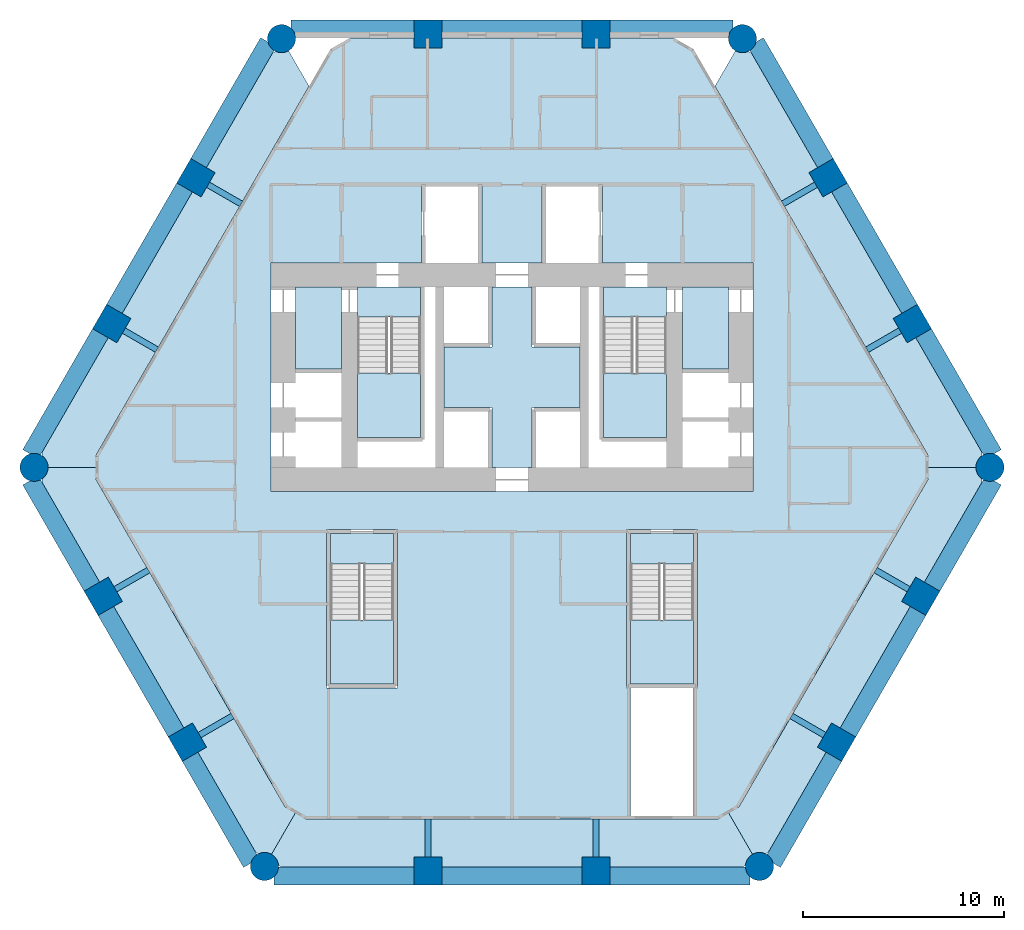
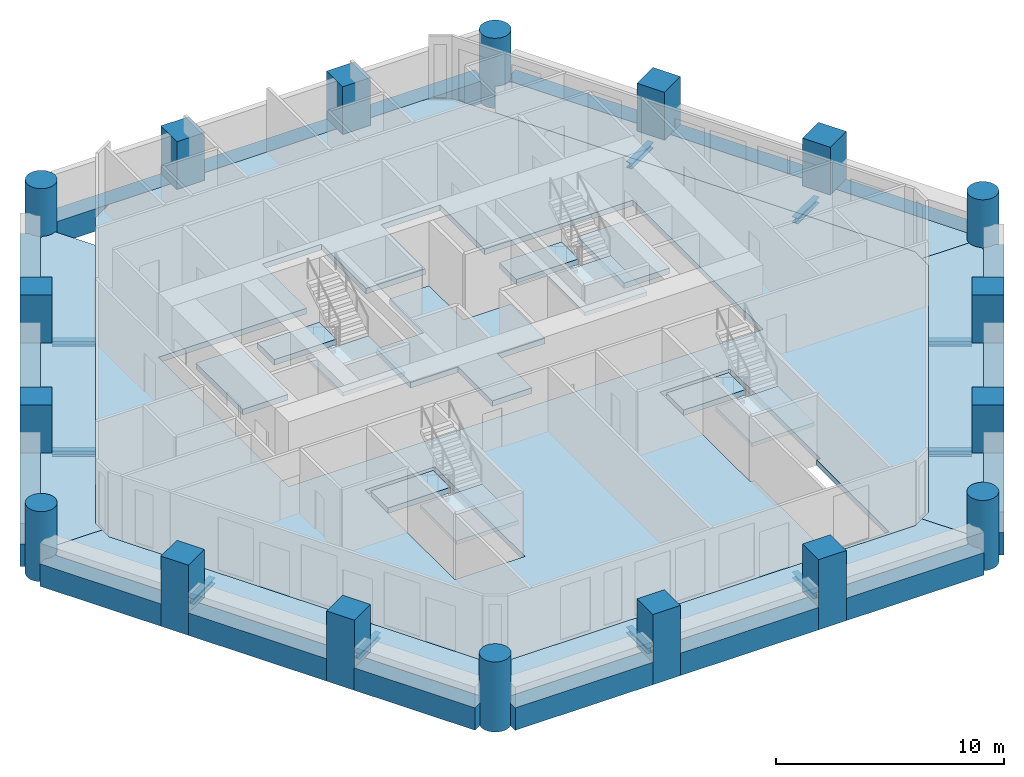
# One storey, part 1 of 8: 28 beams, 18 columns, 17 slabs, 4 elements without a shape of their own.
"""IFC4 building model written with IfcOpenShell, lengths in metres."""

from ifc_helpers import new_model, si_unit, direction, frame, origin, origin_2d, place, context, subcontext, project, spatial, polyline, rectangle, circle, i_section, outline, extrude, material, layer, layer_set, material_profile, profile_set, type_object, element, aggregate, save


model = new_model("IFC4")

# Units and contexts
model_context = context("Model", 3, precision=1e-05, world=origin(), true_north=direction((0.0, 1.0)))
body_context = subcontext(model_context, "Body", "Model", "MODEL_VIEW")
ifc_project = project(units=[si_unit("LENGTHUNIT", "METRE"), si_unit("AREAUNIT", "SQUARE_METRE"), si_unit("VOLUMEUNIT", "CUBIC_METRE"), si_unit("PLANEANGLEUNIT", "RADIAN"), si_unit("MASSUNIT", "GRAM", prefix="KILO")], contexts=[model_context])

# Site, building, storey
site_placement = place(None, origin())
site = spatial("IfcSite", under=ifc_project, at=site_placement, CompositionType="ELEMENT")
building_placement = place(site_placement, origin())
building = spatial("IfcBuilding", under=site, at=building_placement, Name="Ostrander Bayou Hotel Tower", CompositionType="ELEMENT")
storey_placement = place(building_placement, frame((0.0, 0.0, 54.25)))
storey = spatial("IfcBuildingStorey", under=building, at=storey_placement, Name="L13", CompositionType="ELEMENT", Elevation=54.25)

# Columns
ifc_material_1 = material(Name="Concrete f'c 70 MPa", Category="concrete")
ifc_material_profile_1 = material_profile(ifc_material_1, circle(Radius=0.699951171875, at=origin_2d()))
ifc_profile_set_1 = profile_set([ifc_material_profile_1], Name="Concrete f'c 70 MPa")
column_type_1 = type_object("IfcColumnType", Name="C1 round column 1400 mm f'c 70 MPa", PredefinedType="COLUMN", material=ifc_profile_set_1)
for number, where, z_axis, x_axis, name in (
    (1, (-11.483642578125, 20.872314453125, -1.199951171875), (0.0, 0.0, 1.0), (1.0, 0.0, 0.0), "C1 L13 K0"),
    (2, (-23.817626953125, -0.490966796875, -1.199951171875), (0.0, 0.0, 1.0), (1.0, 0.0, 0.0), "C1 L13 K1"),
    (3, (-12.333984375, -20.38134765625, -1.199951171875), (0.0, 0.0, 1.0), (1.0, 0.0, 0.0), "C1 L13 K2"),
    (4, (12.333984375, -20.38134765625, -1.199951171875), (0.0, 0.0, 1.0), (1.0, 0.0, 0.0), "C1 L13 K3"),
    (5, (23.817626953125, -0.490966796875, -1.199951171875), (0.0, 0.0, 1.0), (1.0, 0.0, 0.0), "C1 L13 K4"),
    (6, (11.483642578125, 20.872314453125, -1.199951171875), (0.0, 0.0, 1.0), (1.0, 0.0, 0.0), "C1 L13 K5"),
):
    element("IfcColumn", number, at=place(storey_placement, frame(where, z_axis=z_axis, x_axis=x_axis)), inside=storey, type_object=column_type_1, Name=name, PredefinedType="COLUMN", context=body_context, shape_type="SweptSolid", body=[
        extrude(circle(Radius=0.699951171875, at=origin_2d()), origin(), (0.0, 0.0, 1.0), 3.75),
    ])
ifc_material_2 = material(Name="Concrete f'c 70 MPa", Category="concrete")
ifc_material_profile_2 = material_profile(ifc_material_2, rectangle(XDim=1.39990234375, YDim=1.39990234375, at=origin_2d()))
ifc_profile_set_2 = profile_set([ifc_material_profile_2], Name="Concrete f'c 70 MPa")
column_type_2 = type_object("IfcColumnType", Name="C2 square column 1400 x 1400 mm f'c 70 MPa", PredefinedType="COLUMN", material=ifc_profile_set_2)
for number, where, z_axis, x_axis, name in (
    (7, (4.1953125, 21.10009765625, -1.199951171875), (0.0, 0.0, 1.0), (1.0, 0.0, 0.0), "C2 L13 N1"),
    (8, (-4.1953125, 21.10009765625, -1.199951171875), (0.0, 0.0, 1.0), (1.0, 0.0, 0.0), "C2 L13 N2"),
    (9, (-15.750244140625, 13.93798828125, -1.199951171875), (0.0, 0.0, 1.0), (0.5, 0.866025403784, 0.0), "C2 L13 NW1"),
    (10, (-19.94580078125, 6.671142578125, -1.199951171875), (0.0, 0.0, 1.0), (0.5, 0.866025403784, 0.0), "C2 L13 NW2"),
    (11, (-20.370849609375, -6.916748046875, -1.199951171875), (0.0, 0.0, 1.0), (-0.5, 0.866025403784, 0.0), "C2 L13 SW1"),
    (12, (-16.17529296875, -14.183349609375, -1.199951171875), (0.0, 0.0, 1.0), (-0.5, 0.866025403784, 0.0), "C2 L13 SW2"),
    (13, (-4.1953125, -20.60888671875, -1.199951171875), (0.0, 0.0, 1.0), (-1.0, 0.0, 0.0), "C2 L13 S1"),
    (14, (4.1953125, -20.60888671875, -1.199951171875), (0.0, 0.0, 1.0), (-1.0, 0.0, 0.0), "C2 L13 S2"),
    (15, (16.17529296875, -14.183349609375, -1.199951171875), (0.0, 0.0, 1.0), (-0.5, -0.866025403784, 0.0), "C2 L13 SE1"),
    (16, (20.370849609375, -6.916748046875, -1.199951171875), (0.0, 0.0, 1.0), (-0.5, -0.866025403784, 0.0), "C2 L13 SE2"),
    (17, (19.94580078125, 6.671142578125, -1.199951171875), (0.0, 0.0, 1.0), (0.5, -0.866025403784, 0.0), "C2 L13 NE1"),
    (18, (15.750244140625, 13.93798828125, -1.199951171875), (0.0, 0.0, 1.0), (0.5, -0.866025403784, 0.0), "C2 L13 NE2"),
):
    element("IfcColumn", number, at=place(storey_placement, frame(where, z_axis=z_axis, x_axis=x_axis)), inside=storey, type_object=column_type_2, Name=name, PredefinedType="COLUMN", context=body_context, shape_type="SweptSolid", body=[
        extrude(rectangle(XDim=1.39990234375, YDim=1.39990234375, at=origin_2d()), origin(), (0.0, 0.0, 1.0), 3.75),
    ])

# Beams
ifc_material_3 = material(Name="Steel ASTM A992", Category="steel")
ifc_material_profile_3 = material_profile(ifc_material_3, i_section(OverallWidth=0.3046875, OverallDepth=0.307861328125, WebThickness=0.010009765625, FlangeThickness=0.015380859375, at=origin_2d()))
ifc_profile_set_3 = profile_set([ifc_material_profile_3], Name="Steel ASTM A992")
beam_type_1 = type_object("IfcBeamType", Name="LB1 loggia bracket W12x65", PredefinedType="BEAM", material=ifc_profile_set_3)
beam_1_placement = place(storey_placement, frame((-15.14404296875, 13.587890625, -0.453857421875), z_axis=(0.866044365799, -0.499967155389, 0.0), x_axis=(0.499967155389, 0.866044365799, 0.0)))
element("IfcBeam", 19, at=beam_1_placement, inside=storey, type_object=beam_type_1, Name="LB1 L13 NW1", PredefinedType="BEAM", context=body_context, shape_type="SweptSolid", body=[
    extrude(i_section(OverallWidth=0.3046875, OverallDepth=0.307861328125, WebThickness=0.010009765625, FlangeThickness=0.015380859375, at=origin_2d()), origin(), (0.0, 0.0, 1.0), 1.900146484375),
])
beam_2_placement = place(storey_placement, frame((-19.33935546875, 6.3212890625, -0.453857421875), z_axis=(0.865956592479, -0.500119165741, 0.0), x_axis=(0.500119165741, 0.865956592479, 0.0)))
element("IfcBeam", 20, at=beam_2_placement, inside=storey, type_object=beam_type_1, Name="LB1 L13 NW2", PredefinedType="BEAM", context=body_context, shape_type="SweptSolid", body=[
    extrude(i_section(OverallWidth=0.3046875, OverallDepth=0.307861328125, WebThickness=0.010009765625, FlangeThickness=0.015380859375, at=origin_2d()), origin(), (0.0, 0.0, 1.0), 1.89990234375),
])
beam_3_placement = place(storey_placement, frame((-19.7646484375, -6.566650390625, -0.453857421875), z_axis=(0.866044365799, 0.499967155389, 0.0), x_axis=(-0.499967155389, 0.866044365799, 0.0)))
element("IfcBeam", 21, at=beam_3_placement, inside=storey, type_object=beam_type_1, Name="LB1 L13 SW1", PredefinedType="BEAM", context=body_context, shape_type="SweptSolid", body=[
    extrude(i_section(OverallWidth=0.3046875, OverallDepth=0.307861328125, WebThickness=0.010009765625, FlangeThickness=0.015380859375, at=origin_2d()), origin(), (0.0, 0.0, 1.0), 1.900146484375),
])
for number, where, z_axis, x_axis, name in (
    (22, (-15.569091796875, -13.833251953125, -0.453857421875), (0.86601224135, 0.500022797313, 0.0), (-0.500022797313, 0.86601224135, 0.0), "LB1 L13 SW2"),
    (23, (-4.1953125, -19.908935546875, -0.453857421875), (0.0, 1.0, 0.0), (-1.0, 0.0, 0.0), "LB1 L13 S1"),
    (24, (4.1953125, -19.908935546875, -0.453857421875), (0.0, 1.0, 0.0), (-1.0, 0.0, 0.0), "LB1 L13 S2"),
    (25, (15.569091796875, -13.833251953125, -0.453857421875), (-0.86601224135, 0.500022797313, 0.0), (-0.500022797313, -0.86601224135, 0.0), "LB1 L13 SE1"),
):
    element("IfcBeam", number, at=place(storey_placement, frame(where, z_axis=z_axis, x_axis=x_axis)), inside=storey, type_object=beam_type_1, Name=name, PredefinedType="BEAM", context=body_context, shape_type="SweptSolid", body=[
        extrude(i_section(OverallWidth=0.3046875, OverallDepth=0.307861328125, WebThickness=0.010009765625, FlangeThickness=0.015380859375, at=origin_2d()), origin(), (0.0, 0.0, 1.0), 1.89990234375),
    ])
beam_4_placement = place(storey_placement, frame((19.7646484375, -6.566650390625, -0.453857421875), z_axis=(-0.866044365799, 0.499967155389, 0.0), x_axis=(-0.499967155389, -0.866044365799, 0.0)))
element("IfcBeam", 26, at=beam_4_placement, inside=storey, type_object=beam_type_1, Name="LB1 L13 SE2", PredefinedType="BEAM", context=body_context, shape_type="SweptSolid", body=[
    extrude(i_section(OverallWidth=0.3046875, OverallDepth=0.307861328125, WebThickness=0.010009765625, FlangeThickness=0.015380859375, at=origin_2d()), origin(), (0.0, 0.0, 1.0), 1.900146484375),
])
beam_5_placement = place(storey_placement, frame((19.33935546875, 6.3212890625, -0.453857421875), z_axis=(-0.865956592479, -0.500119165741, 0.0), x_axis=(0.500119165741, -0.865956592479, 0.0)))
element("IfcBeam", 27, at=beam_5_placement, inside=storey, type_object=beam_type_1, Name="LB1 L13 NE1", PredefinedType="BEAM", context=body_context, shape_type="SweptSolid", body=[
    extrude(i_section(OverallWidth=0.3046875, OverallDepth=0.307861328125, WebThickness=0.010009765625, FlangeThickness=0.015380859375, at=origin_2d()), origin(), (0.0, 0.0, 1.0), 1.89990234375),
])
beam_6_placement = place(storey_placement, frame((15.14404296875, 13.587890625, -0.453857421875), z_axis=(-0.866044365799, -0.499967155389, 0.0), x_axis=(0.499967155389, -0.866044365799, 0.0)))
element("IfcBeam", 28, at=beam_6_placement, inside=storey, type_object=beam_type_1, Name="LB1 L13 NE2", PredefinedType="BEAM", context=body_context, shape_type="SweptSolid", body=[
    extrude(i_section(OverallWidth=0.3046875, OverallDepth=0.307861328125, WebThickness=0.010009765625, FlangeThickness=0.015380859375, at=origin_2d()), origin(), (0.0, 0.0, 1.0), 1.900146484375),
])
ifc_material_4 = material(Name="Concrete f'c 70 MPa", Category="concrete")
ifc_material_profile_4 = material_profile(ifc_material_4, rectangle(XDim=0.89990234375, YDim=1.199951171875, at=origin_2d()))
ifc_profile_set_4 = profile_set([ifc_material_profile_4], Name="Concrete f'c 70 MPa")
beam_type_2 = type_object("IfcBeamType", Name="SP1 spandrel beam 900 x 1200 mm f'c 70 MPa", PredefinedType="SPANDREL", material=ifc_profile_set_4)
beam_7_placement = place(storey_placement, frame((11.002197265625, 21.35009765625, -0.60009765625), z_axis=(-1.0, 0.0, 0.0), x_axis=(0.0, -1.0, 0.0)))
element("IfcBeam", 29, at=beam_7_placement, inside=storey, type_object=beam_type_2, Name="SP1 L13 N-1", PredefinedType="SPANDREL", context=body_context, shape_type="SweptSolid", body=[
    extrude(rectangle(XDim=0.89990234375, YDim=1.199951171875, at=origin_2d()), origin(), (0.0, 0.0, 1.0), 6.13671875),
])
beam_8_placement = place(storey_placement, frame((3.525390625, 21.35009765625, -0.60009765625), z_axis=(-1.0, 0.0, 0.0), x_axis=(0.0, -1.0, 0.0)))
element("IfcBeam", 30, at=beam_8_placement, inside=storey, type_object=beam_type_2, Name="SP1 L13 N-2", PredefinedType="SPANDREL", context=body_context, shape_type="SweptSolid", body=[
    extrude(rectangle(XDim=0.89990234375, YDim=1.199951171875, at=origin_2d()), origin(), (0.0, 0.0, 1.0), 7.05078125),
])
beam_9_placement = place(storey_placement, frame((-4.865478515625, 21.35009765625, -0.60009765625), z_axis=(-1.0, 0.0, 0.0), x_axis=(0.0, -1.0, 0.0)))
element("IfcBeam", 31, at=beam_9_placement, inside=storey, type_object=beam_type_2, Name="SP1 L13 N-3", PredefinedType="SPANDREL", context=body_context, shape_type="SweptSolid", body=[
    extrude(rectangle(XDim=0.89990234375, YDim=1.199951171875, at=origin_2d()), origin(), (0.0, 0.0, 1.0), 6.13671875),
])
beam_10_placement = place(storey_placement, frame((-12.13818359375, 20.694091796875, -0.60009765625), z_axis=(-0.500009789943, -0.866019751484, 0.0), x_axis=(0.866019751484, -0.500009789943, 0.0)))
element("IfcBeam", 32, at=beam_10_placement, inside=storey, type_object=beam_type_2, Name="SP1 L13 NW-1", PredefinedType="SPANDREL", context=body_context, shape_type="SweptSolid", body=[
    extrude(rectangle(XDim=0.89990234375, YDim=1.199951171875, at=origin_2d()), origin(), (0.0, 0.0, 1.0), 6.987060546875),
])
beam_11_placement = place(storey_placement, frame((-16.3017578125, 13.482666015625, -0.60009765625), z_axis=(-0.499997206141, -0.866027016814, 0.0), x_axis=(0.866027016814, -0.499997206141, 0.0)))
element("IfcBeam", 33, at=beam_11_placement, inside=storey, type_object=beam_type_2, Name="SP1 L13 NW-2", PredefinedType="SPANDREL", context=body_context, shape_type="SweptSolid", body=[
    extrude(rectangle(XDim=0.89990234375, YDim=1.199951171875, at=origin_2d()), origin(), (0.0, 0.0, 1.0), 7.05078125),
])
beam_12_placement = place(storey_placement, frame((-20.497314453125, 6.216064453125, -0.60009765625), z_axis=(-0.499983583635, -0.86603488157, 0.0), x_axis=(0.86603488157, -0.499983583635, 0.0)))
element("IfcBeam", 34, at=beam_12_placement, inside=storey, type_object=beam_type_2, Name="SP1 L13 NW-3", PredefinedType="SPANDREL", context=body_context, shape_type="SweptSolid", body=[
    extrude(rectangle(XDim=0.89990234375, YDim=1.199951171875, at=origin_2d()), origin(), (0.0, 0.0, 1.0), 6.987060546875),
])
beam_13_placement = place(storey_placement, frame((-23.99072265625, -1.14697265625, -0.60009765625), z_axis=(0.500007141444, -0.86602128063, 0.0), x_axis=(0.86602128063, 0.500007141444, 0.0)))
element("IfcBeam", 35, at=beam_13_placement, inside=storey, type_object=beam_type_2, Name="SP1 L13 SW-1", PredefinedType="SPANDREL", context=body_context, shape_type="SweptSolid", body=[
    extrude(rectangle(XDim=0.89990234375, YDim=1.199951171875, at=origin_2d()), origin(), (0.0, 0.0, 1.0), 6.13671875),
])
beam_14_placement = place(storey_placement, frame((-20.252197265625, -7.621826171875, -0.60009765625), z_axis=(0.499997206141, -0.866027016814, 0.0), x_axis=(0.866027016814, 0.499997206141, 0.0)))
element("IfcBeam", 36, at=beam_14_placement, inside=storey, type_object=beam_type_2, Name="SP1 L13 SW-2", PredefinedType="SPANDREL", context=body_context, shape_type="SweptSolid", body=[
    extrude(rectangle(XDim=0.89990234375, YDim=1.199951171875, at=origin_2d()), origin(), (0.0, 0.0, 1.0), 7.05078125),
])
beam_15_placement = place(storey_placement, frame((-16.056884765625, -14.888671875, -0.60009765625), z_axis=(0.500007141444, -0.86602128063, 0.0), x_axis=(0.86602128063, 0.500007141444, 0.0)))
element("IfcBeam", 37, at=beam_15_placement, inside=storey, type_object=beam_type_2, Name="SP1 L13 SW-3", PredefinedType="SPANDREL", context=body_context, shape_type="SweptSolid", body=[
    extrude(rectangle(XDim=0.89990234375, YDim=1.199951171875, at=origin_2d()), origin(), (0.0, 0.0, 1.0), 6.13671875),
])
beam_16_placement = place(storey_placement, frame((-11.852294921875, -20.85888671875, -0.60009765625), z_axis=(1.0, 0.0, 0.0), x_axis=(0.0, 1.0, 0.0)))
element("IfcBeam", 38, at=beam_16_placement, inside=storey, type_object=beam_type_2, Name="SP1 L13 S-1", PredefinedType="SPANDREL", context=body_context, shape_type="SweptSolid", body=[
    extrude(rectangle(XDim=0.89990234375, YDim=1.199951171875, at=origin_2d()), origin(), (0.0, 0.0, 1.0), 6.98681640625),
])
beam_17_placement = place(storey_placement, frame((-3.525390625, -20.85888671875, -0.60009765625), z_axis=(1.0, 0.0, 0.0), x_axis=(0.0, 1.0, 0.0)))
element("IfcBeam", 39, at=beam_17_placement, inside=storey, type_object=beam_type_2, Name="SP1 L13 S-2", PredefinedType="SPANDREL", context=body_context, shape_type="SweptSolid", body=[
    extrude(rectangle(XDim=0.89990234375, YDim=1.199951171875, at=origin_2d()), origin(), (0.0, 0.0, 1.0), 7.05078125),
])
beam_18_placement = place(storey_placement, frame((4.865478515625, -20.85888671875, -0.60009765625), z_axis=(1.0, 0.0, 0.0), x_axis=(0.0, 1.0, 0.0)))
element("IfcBeam", 40, at=beam_18_placement, inside=storey, type_object=beam_type_2, Name="SP1 L13 S-3", PredefinedType="SPANDREL", context=body_context, shape_type="SweptSolid", body=[
    extrude(rectangle(XDim=0.89990234375, YDim=1.199951171875, at=origin_2d()), origin(), (0.0, 0.0, 1.0), 6.98681640625),
])
beam_19_placement = place(storey_placement, frame((12.988525390625, -20.203125, -0.60009765625), z_axis=(0.500007141444, 0.86602128063, 0.0), x_axis=(-0.86602128063, 0.500007141444, 0.0)))
element("IfcBeam", 41, at=beam_19_placement, inside=storey, type_object=beam_type_2, Name="SP1 L13 SE-1", PredefinedType="SPANDREL", context=body_context, shape_type="SweptSolid", body=[
    extrude(rectangle(XDim=0.89990234375, YDim=1.199951171875, at=origin_2d()), origin(), (0.0, 0.0, 1.0), 6.13671875),
])
beam_20_placement = place(storey_placement, frame((16.726806640625, -13.72802734375, -0.60009765625), z_axis=(0.499997206141, 0.866027016814, 0.0), x_axis=(-0.866027016814, 0.499997206141, 0.0)))
element("IfcBeam", 42, at=beam_20_placement, inside=storey, type_object=beam_type_2, Name="SP1 L13 SE-2", PredefinedType="SPANDREL", context=body_context, shape_type="SweptSolid", body=[
    extrude(rectangle(XDim=0.89990234375, YDim=1.199951171875, at=origin_2d()), origin(), (0.0, 0.0, 1.0), 7.05078125),
])
beam_21_placement = place(storey_placement, frame((20.92236328125, -6.46142578125, -0.60009765625), z_axis=(0.500007141444, 0.86602128063, 0.0), x_axis=(-0.86602128063, 0.500007141444, 0.0)))
element("IfcBeam", 43, at=beam_21_placement, inside=storey, type_object=beam_type_2, Name="SP1 L13 SE-3", PredefinedType="SPANDREL", context=body_context, shape_type="SweptSolid", body=[
    extrude(rectangle(XDim=0.89990234375, YDim=1.199951171875, at=origin_2d()), origin(), (0.0, 0.0, 1.0), 6.13671875),
])
beam_22_placement = place(storey_placement, frame((23.99072265625, 0.1650390625, -0.60009765625), z_axis=(-0.499983583635, 0.86603488157, 0.0), x_axis=(-0.86603488157, -0.499983583635, 0.0)))
element("IfcBeam", 44, at=beam_22_placement, inside=storey, type_object=beam_type_2, Name="SP1 L13 NE-1", PredefinedType="SPANDREL", context=body_context, shape_type="SweptSolid", body=[
    extrude(rectangle(XDim=0.89990234375, YDim=1.199951171875, at=origin_2d()), origin(), (0.0, 0.0, 1.0), 6.987060546875),
])
beam_23_placement = place(storey_placement, frame((19.8271484375, 7.37646484375, -0.60009765625), z_axis=(-0.499997206141, 0.866027016814, 0.0), x_axis=(-0.866027016814, -0.499997206141, 0.0)))
element("IfcBeam", 45, at=beam_23_placement, inside=storey, type_object=beam_type_2, Name="SP1 L13 NE-2", PredefinedType="SPANDREL", context=body_context, shape_type="SweptSolid", body=[
    extrude(rectangle(XDim=0.89990234375, YDim=1.199951171875, at=origin_2d()), origin(), (0.0, 0.0, 1.0), 7.05078125),
])
beam_24_placement = place(storey_placement, frame((15.6318359375, 14.64306640625, -0.60009765625), z_axis=(-0.500009789943, 0.866019751484, 0.0), x_axis=(-0.866019751484, -0.500009789943, 0.0)))
element("IfcBeam", 46, at=beam_24_placement, inside=storey, type_object=beam_type_2, Name="SP1 L13 NE-3", PredefinedType="SPANDREL", context=body_context, shape_type="SweptSolid", body=[
    extrude(rectangle(XDim=0.89990234375, YDim=1.199951171875, at=origin_2d()), origin(), (0.0, 0.0, 1.0), 6.987060546875),
])

# Slabs
ifc_material_5 = material(Name="Concrete f'c 40 MPa", Category="concrete")
ifc_layer_1 = layer(ifc_material_5, 0.300048828125)
ifc_layer_set_1 = layer_set([ifc_layer_1], Name="SL1 floor slab 300 mm f'c 40 MPa")
slab_type_1 = type_object("IfcSlabType", Name="SL1 floor slab 300 mm f'c 40 MPa", PredefinedType="FLOOR", material=ifc_layer_set_1)
slab_1_placement = place(storey_placement, frame((0.0, 0.0, -0.300048828125)))
element("IfcSlab", 47, at=slab_1_placement, inside=storey, type_object=slab_type_1, Name="SL1 L13 1", PredefinedType="FLOOR", context=body_context, shape_type="SweptSolid", body=[
    extrude(outline(polyline([(-3.525390625, 20.89990234375), (3.525390625, 20.89990234375), (4.865478515625, 20.89990234375), (8.03564453125, 20.89990234375), (9.07470703125, 20.300048828125), (20.732177734375, 0.10888671875), (20.732177734375, -1.091064453125), (11.310791015625, -17.408935546875), (10.271484375, -18.009033203125), (-10.271484375, -18.009033203125), (-11.310791015625, -17.408935546875), (-20.732177734375, -1.091064453125), (-20.732177734375, 0.10888671875), (-9.07470703125, 20.300048828125), (-8.03564453125, 20.89990234375), (-4.865478515625, 20.89990234375), (-3.525390625, 20.89990234375)]), holes=[polyline([(-12.0, -1.699951171875), (12.0, -1.699951171875), (12.0, 9.699951171875), (4.5, 9.699951171875), (4.5, 13.60009765625), (1.5, 13.60009765625), (1.5, 9.699951171875), (-1.5, 9.699951171875), (-1.5, 13.60009765625), (-4.5, 13.60009765625), (-4.5, 9.699951171875), (-12.0, 9.699951171875), (-12.0, -1.699951171875)]), polyline([(9.050048828125, -11.5), (9.25, -11.5), (9.25, -3.60009765625), (5.699951171875, -3.60009765625), (5.699951171875, -11.5), (5.89990234375, -11.5), (5.89990234375, -17.85888671875), (9.050048828125, -17.85888671875), (9.050048828125, -11.5)]), polyline([(-5.699951171875, -3.60009765625), (-9.25, -3.60009765625), (-9.25, -11.5), (-5.699951171875, -11.5), (-5.699951171875, -3.60009765625)])]), origin(), (0.0, 0.0, 1.0), 0.300048828125),
])
slab_2_placement = place(storey_placement, frame((0.0, 0.0, -0.300048828125)))
element("IfcSlab", 48, at=slab_2_placement, inside=storey, type_object=slab_type_1, Name="cslab:L13:001", PredefinedType="FLOOR", context=body_context, shape_type="SweptSolid", body=[
    extrude(outline(polyline([(-3.39990234375, 5.5), (-1.0, 5.5), (-1.0, 8.5), (1.0, 8.5), (1.0, 5.5), (3.39990234375, 5.5), (3.39990234375, 2.5), (1.0, 2.5), (1.0, -0.5), (-1.0, -0.5), (-1.0, 2.5), (-3.39990234375, 2.5), (-3.39990234375, 5.5)])), origin(), (0.0, 0.0, 1.0), 0.300048828125),
])
slab_3_placement = place(storey_placement, frame((0.0, 0.0, -0.300048828125)))
element("IfcSlab", 49, at=slab_3_placement, inside=storey, type_object=slab_type_1, Name="cslab:L13:002", PredefinedType="FLOOR", context=body_context, shape_type="SweptSolid", body=[
    extrude(outline(polyline([(-8.5, 4.39990234375), (-8.5, 8.5), (-10.800048828125, 8.5), (-10.800048828125, 4.39990234375), (-8.5, 4.39990234375)])), origin(), (0.0, 0.0, 1.0), 0.300048828125),
])
slab_4_placement = place(storey_placement, frame((0.0, 0.0, -0.300048828125)))
element("IfcSlab", 50, at=slab_4_placement, inside=storey, type_object=slab_type_1, Name="cslab:L13:003", PredefinedType="FLOOR", context=body_context, shape_type="SweptSolid", body=[
    extrude(outline(polyline([(10.800048828125, 4.39990234375), (10.800048828125, 8.5), (8.5, 8.5), (8.5, 4.39990234375), (10.800048828125, 4.39990234375)])), origin(), (0.0, 0.0, 1.0), 0.300048828125),
])
slab_5_placement = place(storey_placement, frame((0.0, 0.0, -0.300048828125)))
element("IfcSlab", 51, at=slab_5_placement, inside=storey, type_object=slab_type_1, Name="cslab:L13:004", PredefinedType="FLOOR", context=body_context, shape_type="SweptSolid", body=[
    extrude(outline(polyline([(-4.550048828125, 7.0), (-4.550048828125, 8.5), (-7.699951171875, 8.5), (-7.699951171875, 7.0), (-4.550048828125, 7.0)])), origin(), (0.0, 0.0, 1.0), 0.300048828125),
])
slab_6_placement = place(storey_placement, frame((0.0, 0.0, -0.300048828125)))
element("IfcSlab", 52, at=slab_6_placement, inside=storey, type_object=slab_type_1, Name="cslab:L13:005", PredefinedType="FLOOR", context=body_context, shape_type="SweptSolid", body=[
    extrude(outline(polyline([(7.699951171875, 7.0), (7.699951171875, 8.5), (4.550048828125, 8.5), (4.550048828125, 7.0), (7.699951171875, 7.0)])), origin(), (0.0, 0.0, 1.0), 0.300048828125),
])
slab_7_placement = place(storey_placement, frame((0.0, 0.0, -0.300048828125)))
element("IfcSlab", 53, at=slab_7_placement, inside=storey, type_object=slab_type_1, Name="cslab:L13:006", PredefinedType="FLOOR", context=body_context, shape_type="SweptSolid", body=[
    extrude(outline(polyline([(9.050048828125, -5.300048828125), (9.050048828125, -3.800048828125), (5.89990234375, -3.800048828125), (5.89990234375, -5.300048828125), (9.050048828125, -5.300048828125)])), origin(), (0.0, 0.0, 1.0), 0.300048828125),
])
slab_8_placement = place(storey_placement, frame((0.0, 0.0, -0.300048828125)))
element("IfcSlab", 54, at=slab_8_placement, inside=storey, type_object=slab_type_1, Name="cslab:L13:007", PredefinedType="FLOOR", context=body_context, shape_type="SweptSolid", body=[
    extrude(outline(polyline([(-5.89990234375, -5.300048828125), (-5.89990234375, -3.800048828125), (-9.050048828125, -3.800048828125), (-9.050048828125, -5.300048828125), (-5.89990234375, -5.300048828125)])), origin(), (0.0, 0.0, 1.0), 0.300048828125),
])
ifc_material_6 = material(Name="Concrete f'c 40 MPa", Category="concrete")
ifc_layer_2 = layer(ifc_material_6, 0.300048828125)
ifc_layer_set_2 = layer_set([ifc_layer_2], Name="SL4 loggia slab 300 mm f'c 40 MPa")
slab_type_2 = type_object("IfcSlabType", Name="SL4 loggia slab 300 mm f'c 40 MPa", PredefinedType="FLOOR", material=ifc_layer_set_2)
slab_9_placement = place(storey_placement, frame((0.0, 0.0, -0.300048828125)))
element("IfcSlab", 55, at=slab_9_placement, inside=storey, type_object=slab_type_2, Name="SL4 LOGGIA L13 NW 1", PredefinedType="FLOOR", context=body_context, shape_type="SweptSolid", body=[
    extrude(outline(polyline([(-23.11767578125, -0.490966796875), (-23.131103515625, -0.3544921875), (-23.1708984375, -0.22314453125), (-23.235595703125, -0.10205078125), (-23.32275390625, 0.00390625), (-23.416748046875, 0.081298828125), (-23.416748046875, 0.259033203125), (-19.4375, 7.1513671875), (-19.134033203125, 7.677001953125), (-11.9326171875, 20.14990234375), (-11.777587890625, 20.239501953125), (-11.751708984375, 20.2255859375), (-11.620361328125, 20.185791015625), (-11.483642578125, 20.172119140625), (-11.34716796875, 20.185791015625), (-11.2158203125, 20.2255859375), (-11.13525390625, 20.2685546875), (-10.114013671875, 18.5), (-20.732177734375, 0.10888671875), (-20.732177734375, -0.490966796875), (-23.11767578125, -0.490966796875)])), origin(), (0.0, 0.0, 1.0), 0.300048828125),
])
slab_10_placement = place(storey_placement, frame((0.0, 0.0, -0.300048828125)))
element("IfcSlab", 56, at=slab_10_placement, inside=storey, type_object=slab_type_2, Name="SL4 LOGGIA L13 SW 1", PredefinedType="FLOOR", context=body_context, shape_type="SweptSolid", body=[
    extrude(outline(polyline([(-10.791259765625, -17.708984375), (-11.985595703125, -19.777587890625), (-12.066162109375, -19.734619140625), (-12.197509765625, -19.694580078125), (-12.333984375, -19.681396484375), (-12.470703125, -19.694580078125), (-12.601806640625, -19.734619140625), (-12.628173828125, -19.74853515625), (-12.783203125, -19.658935546875), (-15.667236328125, -14.66357421875), (-16.337158203125, -13.503173828125), (-19.862548828125, -7.39697265625), (-20.53271484375, -6.236328125), (-23.416748046875, -1.240966796875), (-23.416748046875, -1.06298828125), (-23.32275390625, -0.98583984375), (-23.235595703125, -0.8798828125), (-23.1708984375, -0.7587890625), (-23.131103515625, -0.62744140625), (-23.11767578125, -0.490966796875), (-20.732177734375, -0.490966796875), (-20.732177734375, -1.091064453125), (-11.310791015625, -17.408935546875), (-10.791259765625, -17.708984375)])), origin(), (0.0, 0.0, 1.0), 0.300048828125),
])
slab_11_placement = place(storey_placement, frame((0.0, 0.0, -0.300048828125)))
element("IfcSlab", 57, at=slab_11_placement, inside=storey, type_object=slab_type_2, Name="SL4 LOGGIA L13 S 1", PredefinedType="FLOOR", context=body_context, shape_type="SweptSolid", body=[
    extrude(outline(polyline([(10.791259765625, -17.708984375), (11.985595703125, -19.777587890625), (11.945068359375, -19.79931640625), (11.839111328125, -19.88623046875), (11.751953125, -19.992431640625), (11.687255859375, -20.11328125), (11.6474609375, -20.24462890625), (11.64013671875, -20.31884765625), (11.48388671875, -20.408935546875), (4.865478515625, -20.408935546875), (3.525390625, -20.408935546875), (-3.525390625, -20.408935546875), (-4.865478515625, -20.408935546875), (-11.48388671875, -20.408935546875), (-11.64013671875, -20.31884765625), (-11.6474609375, -20.24462890625), (-11.687255859375, -20.11328125), (-11.751953125, -19.992431640625), (-11.839111328125, -19.88623046875), (-11.945068359375, -19.79931640625), (-11.985595703125, -19.777587890625), (-10.791259765625, -17.708984375), (-10.271484375, -18.009033203125), (10.271484375, -18.009033203125), (10.791259765625, -17.708984375)])), origin(), (0.0, 0.0, 1.0), 0.300048828125),
])
slab_12_placement = place(storey_placement, frame((0.0, 0.0, -0.300048828125)))
element("IfcSlab", 58, at=slab_12_placement, inside=storey, type_object=slab_type_2, Name="SL4 LOGGIA L13 SE 1", PredefinedType="FLOOR", context=body_context, shape_type="SweptSolid", body=[
    extrude(outline(polyline([(20.732177734375, -0.490966796875), (23.11767578125, -0.490966796875), (23.131103515625, -0.62744140625), (23.1708984375, -0.7587890625), (23.235595703125, -0.8798828125), (23.32275390625, -0.98583984375), (23.416748046875, -1.06298828125), (23.416748046875, -1.240966796875), (20.53271484375, -6.236328125), (19.862548828125, -7.39697265625), (16.337158203125, -13.503173828125), (15.667236328125, -14.66357421875), (12.783203125, -19.658935546875), (12.628173828125, -19.74853515625), (12.601806640625, -19.734619140625), (12.470703125, -19.694580078125), (12.333984375, -19.681396484375), (12.197509765625, -19.694580078125), (12.066162109375, -19.734619140625), (11.985595703125, -19.777587890625), (10.791259765625, -17.708984375), (11.310791015625, -17.408935546875), (20.732177734375, -1.091064453125), (20.732177734375, -0.490966796875)])), origin(), (0.0, 0.0, 1.0), 0.300048828125),
])
slab_13_placement = place(storey_placement, frame((0.0, 0.0, -0.300048828125)))
element("IfcSlab", 59, at=slab_13_placement, inside=storey, type_object=slab_type_2, Name="SL4 LOGGIA L13 NE 1", PredefinedType="FLOOR", context=body_context, shape_type="SweptSolid", body=[
    extrude(outline(polyline([(11.13525390625, 20.2685546875), (11.2158203125, 20.2255859375), (11.34716796875, 20.185791015625), (11.483642578125, 20.172119140625), (11.620361328125, 20.185791015625), (11.751708984375, 20.2255859375), (11.777587890625, 20.239501953125), (11.9326171875, 20.14990234375), (17.70068359375, 10.159423828125), (19.4375, 7.1513671875), (20.107421875, 5.990966796875), (23.416748046875, 0.259033203125), (23.416748046875, 0.081298828125), (23.32275390625, 0.00390625), (23.235595703125, -0.10205078125), (23.1708984375, -0.22314453125), (23.131103515625, -0.3544921875), (23.11767578125, -0.490966796875), (20.732177734375, -0.490966796875), (20.732177734375, 0.10888671875), (10.114013671875, 18.5), (11.13525390625, 20.2685546875)])), origin(), (0.0, 0.0, 1.0), 0.300048828125),
])

# Stair, slab
ifc_material_7 = material(Name="Concrete f'c 45 MPa", Category="concrete")
stair_type = type_object("IfcStairType", Name="ST1 exit stair 1500 mm f'c 45 MPa", PredefinedType="HALF_TURN_STAIR", material=ifc_material_7)
stair_1_placement = place(storey_placement, origin())
stair_1 = element("IfcStair", 60, at=stair_1_placement, inside=storey, type_object=stair_type, Name="L13 exit stair A", PredefinedType="HALF_TURN_STAIR")
ifc_material_8 = material(Name="Concrete f'c 45 MPa", Category="concrete")
ifc_layer_3 = layer(ifc_material_8, 0.199951171875)
ifc_layer_set_3 = layer_set([ifc_layer_3], Name="SL8 stair landing 200 mm f'c 45 MPa")
slab_type_3 = type_object("IfcSlabType", Name="SL8 stair landing 200 mm f'c 45 MPa", PredefinedType="LANDING", material=ifc_layer_set_3)
slab_14_placement = place(storey_placement, frame((0.0, 0.0, 1.675048828125)))
slab_14 = element("IfcSlab", 61, at=slab_14_placement, type_object=slab_type_3, Name="STA landing 1", PredefinedType="LANDING", context=body_context, shape_type="SweptSolid", body=[
    extrude(outline(polyline([(-7.699951171875, 4.199951171875), (-7.699951171875, 1.0), (-4.550048828125, 1.0), (-4.550048828125, 4.199951171875), (-7.699951171875, 4.199951171875)])), origin(), (0.0, 0.0, 1.0), 0.199951171875),
])
aggregate(stair_1, [slab_14])

stair_2_placement = place(storey_placement, origin())
stair_2 = element("IfcStair", 62, at=stair_2_placement, inside=storey, type_object=stair_type, Name="L13 exit stair B", PredefinedType="HALF_TURN_STAIR")
slab_15_placement = place(storey_placement, frame((0.0, 0.0, 1.675048828125)))
slab_15 = element("IfcSlab", 63, at=slab_15_placement, type_object=slab_type_3, Name="STB landing 1", PredefinedType="LANDING", context=body_context, shape_type="SweptSolid", body=[
    extrude(outline(polyline([(4.550048828125, 4.199951171875), (4.550048828125, 1.0), (7.699951171875, 1.0), (7.699951171875, 4.199951171875), (4.550048828125, 4.199951171875)])), origin(), (0.0, 0.0, 1.0), 0.199951171875),
])
aggregate(stair_2, [slab_15])

stair_3_placement = place(storey_placement, origin())
stair_3 = element("IfcStair", 64, at=stair_3_placement, inside=storey, type_object=stair_type, Name="L13 exit stair C", PredefinedType="HALF_TURN_STAIR")
slab_16_placement = place(storey_placement, frame((0.0, 0.0, 1.675048828125)))
slab_16 = element("IfcSlab", 65, at=slab_16_placement, type_object=slab_type_3, Name="STC landing 1", PredefinedType="LANDING", context=body_context, shape_type="SweptSolid", body=[
    extrude(outline(polyline([(5.89990234375, -8.10009765625), (5.89990234375, -11.300048828125), (9.050048828125, -11.300048828125), (9.050048828125, -8.10009765625), (5.89990234375, -8.10009765625)])), origin(), (0.0, 0.0, 1.0), 0.199951171875),
])
aggregate(stair_3, [slab_16])

stair_4_placement = place(storey_placement, origin())
stair_4 = element("IfcStair", 66, at=stair_4_placement, inside=storey, type_object=stair_type, Name="L13 exit stair D", PredefinedType="HALF_TURN_STAIR")
slab_17_placement = place(storey_placement, frame((0.0, 0.0, 1.675048828125)))
slab_17 = element("IfcSlab", 67, at=slab_17_placement, type_object=slab_type_3, Name="STD landing 1", PredefinedType="LANDING", context=body_context, shape_type="SweptSolid", body=[
    extrude(outline(polyline([(-9.050048828125, -8.10009765625), (-9.050048828125, -11.300048828125), (-5.89990234375, -11.300048828125), (-5.89990234375, -8.10009765625), (-9.050048828125, -8.10009765625)])), origin(), (0.0, 0.0, 1.0), 0.199951171875),
])
aggregate(stair_4, [slab_17])

save(model, "model.ifc")
